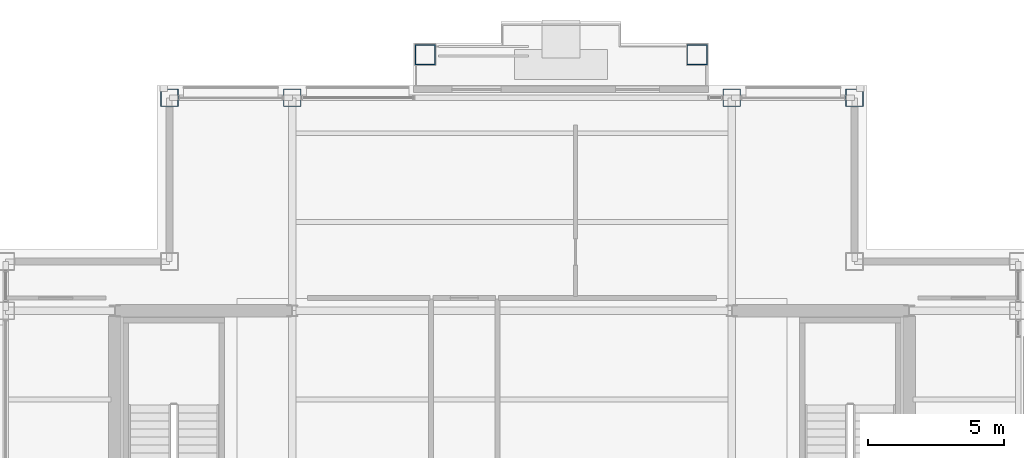
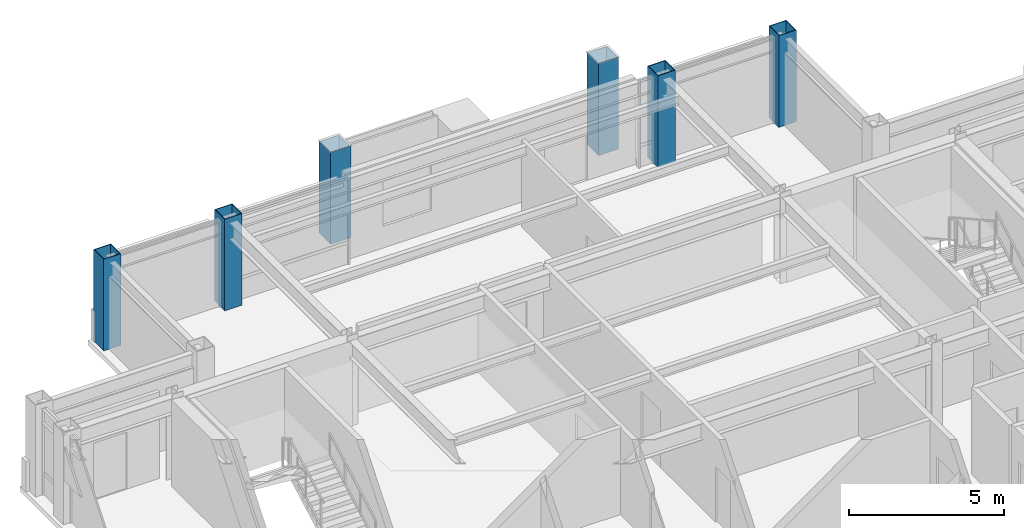
# One storey, part 2 of 24: 6 columns.
"""IFC4 building model written with IfcOpenShell, lengths in metres."""

from ifc_helpers import new_model, si_unit, direction, frame, origin, origin_2d, place, context, subcontext, project, spatial, hollow_rectangle, extrude, material, material_profile, profile_set, type_object, element, save


model = new_model("IFC4")

# Units and contexts
model_context = context("Model", 3, precision=1e-05, world=origin(), true_north=direction((0.0, 1.0)))
body_context = subcontext(model_context, "Body", "Model", "MODEL_VIEW")
ifc_project = project(units=[si_unit("LENGTHUNIT", "METRE"), si_unit("AREAUNIT", "SQUARE_METRE"), si_unit("VOLUMEUNIT", "CUBIC_METRE"), si_unit("PLANEANGLEUNIT", "RADIAN"), si_unit("MASSUNIT", "GRAM", prefix="KILO")], contexts=[model_context])

# Site, building, storey
site_placement = place(None, origin())
site = spatial("IfcSite", under=ifc_project, at=site_placement, CompositionType="ELEMENT")
building_placement = place(site_placement, origin())
building = spatial("IfcBuilding", under=site, at=building_placement, Name="Brelmoor Portico Tower", CompositionType="ELEMENT")
storey_placement = place(building_placement, frame((0.0, 0.0, 229.199951171875)))
storey = spatial("IfcBuildingStorey", under=building, at=storey_placement, Name="L60", CompositionType="ELEMENT", Elevation=229.199951171875)

# Columns
ifc_material = material(Name="Steel Q355B", Category="steel")
ifc_material_profile_1 = material_profile(ifc_material, hollow_rectangle(XDim=0.64990234375, YDim=0.64990234375, WallThickness=0.028076171875, at=origin_2d()), Name="BOX 650x650x28")
ifc_profile_set_1 = profile_set([ifc_material_profile_1], Name="Steel Q355B")
column_type_1 = type_object("IfcColumnType", Name="COL-MEGA-650", PredefinedType="COLUMN", material=ifc_profile_set_1)
for number, where, z_axis, x_axis, name in (
    (1, (-12.550048828125, 17.550048828125, 0.0), (0.0, 0.0, 1.0), (1.0, 0.0, 0.0), "L60 Perimeter Mega-Column PN01"),
    (2, (-8.050048828125, 17.550048828125, 0.0), (0.0, 0.0, 1.0), (1.0, 0.0, 0.0), "L60 Perimeter Mega-Column PN02"),
    (3, (8.050048828125, 17.550048828125, 0.0), (0.0, 0.0, 1.0), (1.0, 0.0, 0.0), "L60 Perimeter Mega-Column PN03"),
    (4, (12.550048828125, 17.550048828125, 0.0), (0.0, 0.0, 1.0), (1.0, 0.0, 0.0), "L60 Perimeter Mega-Column PN04"),
):
    element("IfcColumn", number, at=place(storey_placement, frame(where, z_axis=z_axis, x_axis=x_axis)), inside=storey, type_object=column_type_1, Name=name, PredefinedType="COLUMN", context=body_context, shape_type="SweptSolid", body=[
        extrude(hollow_rectangle(XDim=0.64990234375, YDim=0.64990234375, WallThickness=0.028076171875, at=origin_2d()), origin(), (0.0, 0.0, 1.0), 3.60009765625),
    ])
ifc_material_profile_2 = material_profile(ifc_material, hollow_rectangle(XDim=0.75, YDim=0.75, WallThickness=0.031982421875, at=origin_2d()), Name="BOX 750x750x32")
ifc_profile_set_2 = profile_set([ifc_material_profile_2], Name="Steel Q355B")
column_type_2 = type_object("IfcColumnType", Name="COL-MEGA-750", PredefinedType="COLUMN", material=ifc_profile_set_2)
for number, where, z_axis, x_axis, name in (
    (5, (-3.179931640625, 19.1298828125, 0.0), (0.0, 0.0, 1.0), (1.0, 0.0, 0.0), "L60 Proud Picture-Frame Pier PFJ-N1"),
    (6, (6.780029296875, 19.1298828125, 0.0), (0.0, 0.0, 1.0), (1.0, 0.0, 0.0), "L60 Proud Picture-Frame Pier PFJ-N2"),
):
    element("IfcColumn", number, at=place(storey_placement, frame(where, z_axis=z_axis, x_axis=x_axis)), inside=storey, type_object=column_type_2, Name=name, PredefinedType="COLUMN", context=body_context, shape_type="SweptSolid", body=[
        extrude(hollow_rectangle(XDim=0.75, YDim=0.75, WallThickness=0.031982421875, at=origin_2d()), origin(), (0.0, 0.0, 1.0), 3.60009765625),
    ])

save(model, "model.ifc")
